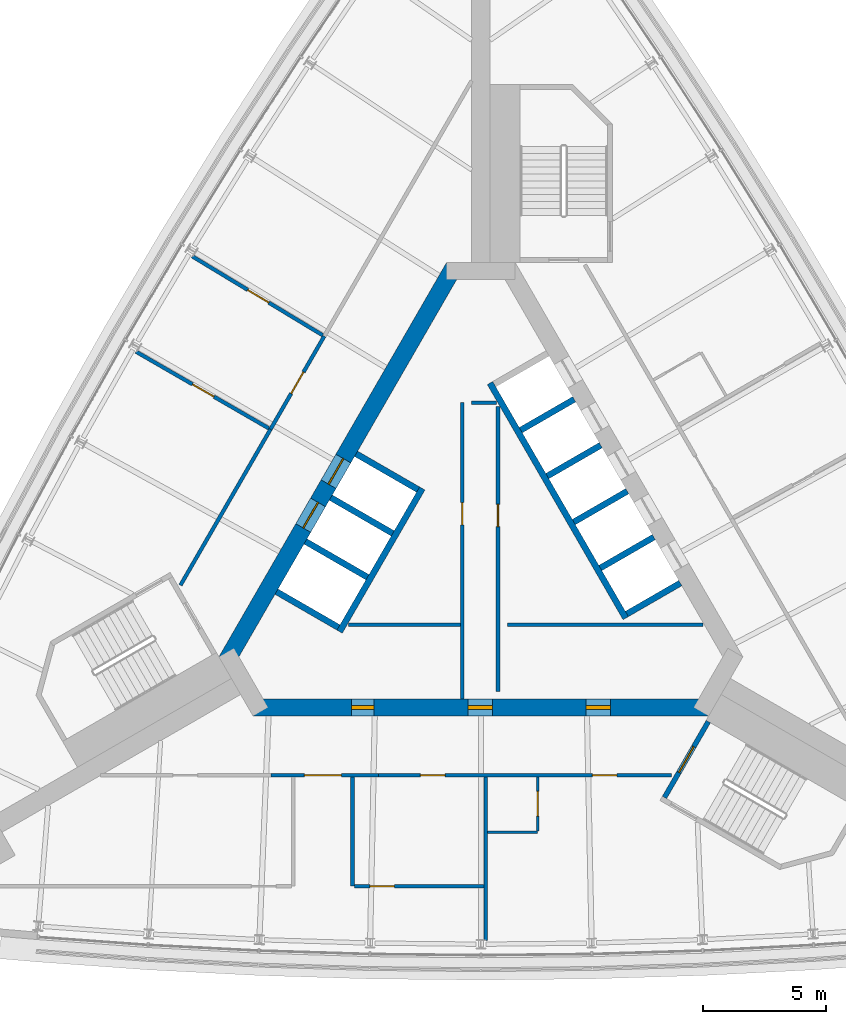
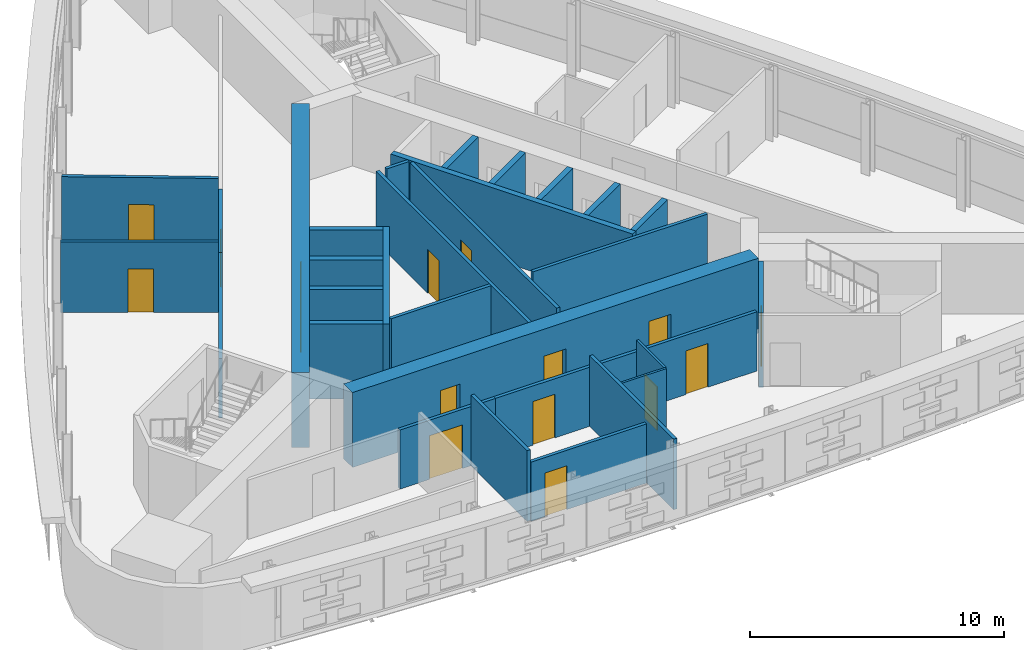
# One storey, part 9 of 13: 30 walls, 16 doors, 16 openings.
"""IFC4 building model written with IfcOpenShell, lengths in metres."""

from ifc_helpers import new_model, si_unit, direction, frame, frame_2d, origin, place, context, subcontext, project, spatial, rectangle, extrude, material, layer, layer_set, type_object, element, fill, save


model = new_model("IFC4")

# Units and contexts
model_context = context("Model", 3, precision=1e-05, world=origin(), true_north=direction((0.0, 1.0)))
body_context = subcontext(model_context, "Body", "Model", "MODEL_VIEW")
ifc_project = project(units=[si_unit("LENGTHUNIT", "METRE"), si_unit("AREAUNIT", "SQUARE_METRE"), si_unit("VOLUMEUNIT", "CUBIC_METRE"), si_unit("PLANEANGLEUNIT", "RADIAN"), si_unit("MASSUNIT", "GRAM", prefix="KILO")], contexts=[model_context])

# Site, building, storey
site_placement = place(None, origin())
site = spatial("IfcSite", under=ifc_project, at=site_placement, CompositionType="ELEMENT")
building_placement = place(site_placement, origin())
building = spatial("IfcBuilding", under=site, at=building_placement, Name="Noor Cloister Tower", CompositionType="ELEMENT")
storey_placement = place(building_placement, frame((0.0, 0.0, 143.699951171875)))
storey = spatial("IfcBuildingStorey", under=building, at=storey_placement, Name="L36", CompositionType="ELEMENT", Elevation=143.699951171875)

# Wall
ifc_material_1 = material(Name="Concrete C30/37", Category="concrete")
ifc_layer_1 = layer(ifc_material_1, 0.14990234375)
ifc_layer_set_1 = layer_set([ifc_layer_1], Name="Core partition 150 C30/37")
wall_type_1 = type_object("IfcWallType", Name="Core partition 150 C30/37", PredefinedType="PARTITIONING", material=ifc_layer_set_1)
wall_1_placement = place(storey_placement, frame((-5.373291015625, -3.228271484375, 0.0), z_axis=(0.0, 0.0, 1.0), x_axis=(1.0, 0.0, 0.0)))
element("IfcWall", 1, at=wall_1_placement, inside=storey, type_object=wall_type_1, Name="Core room partition L36 1", PredefinedType="PARTITIONING", context=body_context, shape_type="SweptSolid", body=[
    extrude(rectangle(XDim=4.544677734375, YDim=0.14990234375, at=frame_2d((2.2724609375, 0.0))), origin(), (0.0, 0.0, 1.0), 3.400146484375),
])

# Wall, opening, door
wall_2_placement = place(storey_placement, frame((-0.753662109375, 5.771728515625, 0.0), z_axis=(0.0, 0.0, 1.0), x_axis=(0.0, -1.0, 0.0)))
wall_2 = element("IfcWall", 2, at=wall_2_placement, inside=storey, type_object=wall_type_1, Name="Core room partition L36 2", PredefinedType="PARTITIONING", context=body_context, shape_type="SweptSolid", body=[
    extrude(rectangle(XDim=12.0, YDim=0.14990234375, at=frame_2d((6.0, 0.0))), origin(), (0.0, 0.0, 1.0), 3.400146484375),
])
opening_1_placement = place(wall_2_placement, frame((4.051025390625, 0.0, 0.0)))
opening_1 = element("IfcOpeningElement", 3, at=opening_1_placement, cuts=wall_2, Name="Opening L36-904", PredefinedType="OPENING", context=body_context, shape_type="SweptSolid", body=[
    extrude(rectangle(XDim=0.89990234375, YDim=2.10009765625, at=frame_2d((0.449951171875, 1.050048828125))), frame((0.0, 0.0849609375, 0.0), z_axis=(0.0, -1.0, 0.0), x_axis=(1.0, 0.0, 0.0)), (0.0, 0.0, 1.0), 0.169921875),
])
ifc_material_2 = material(Name="Steel", Category="steel")
door_type_1 = type_object("IfcDoorType", Name="Core door 900 x 2100 FD120", OperationType="SINGLE_SWING_LEFT", PredefinedType="DOOR", material=ifc_material_2)
door_1_placement = place(opening_1_placement, origin())
door_1 = element("IfcDoor", 4, at=door_1_placement, inside=storey, type_object=door_type_1, Name="Core door 4 L36", OperationType="SINGLE_SWING_RIGHT", OverallHeight=2.10009765625, OverallWidth=0.89990234375, PredefinedType="DOOR", context=body_context, shape_type="SweptSolid", body=[
    extrude(rectangle(XDim=0.89990234375, YDim=2.10009765625, at=frame_2d((0.449951171875, 1.050048828125))), frame((0.0, 0.02490234375, 0.0), z_axis=(0.0, -1.0, 0.0), x_axis=(1.0, 0.0, 0.0)), (0.0, 0.0, 1.0), 0.050048828125),
])
fill(opening_1, door_1)

# Wall
wall_3_placement = place(storey_placement, frame((-0.378662109375, 5.771728515625, 0.0), z_axis=(0.0, 0.0, 1.0), x_axis=(1.0, 0.0, 0.0)))
element("IfcWall", 5, at=wall_3_placement, inside=storey, type_object=wall_type_1, Name="Core room partition L36 3", PredefinedType="PARTITIONING", context=body_context, shape_type="SweptSolid", body=[
    extrude(rectangle(XDim=1.017578125, YDim=0.14990234375, at=frame_2d((0.5087890625, 0.0))), origin(), (0.0, 0.0, 1.0), 3.400146484375),
])

# Wall, opening, door
wall_4_placement = place(storey_placement, frame((0.6962890625, -5.92822265625, 0.0), z_axis=(0.0, 0.0, 1.0), x_axis=(0.0, 1.0, 0.0)))
wall_4 = element("IfcWall", 6, at=wall_4_placement, inside=storey, type_object=wall_type_1, Name="Core room partition L36 4", PredefinedType="PARTITIONING", context=body_context, shape_type="SweptSolid", body=[
    extrude(rectangle(XDim=11.548583984375, YDim=0.14990234375, at=frame_2d((5.7744140625, 0.0))), origin(), (0.0, 0.0, 1.0), 3.400146484375),
])
opening_2_placement = place(wall_4_placement, frame((6.67333984375, 0.0, 0.0)))
opening_2 = element("IfcOpeningElement", 7, at=opening_2_placement, cuts=wall_4, Name="Opening L36-905", PredefinedType="OPENING", context=body_context, shape_type="SweptSolid", body=[
    extrude(rectangle(XDim=0.89990234375, YDim=2.10009765625, at=frame_2d((0.449951171875, 1.050048828125))), frame((0.0, 0.0849609375, 0.0), z_axis=(0.0, -1.0, 0.0), x_axis=(1.0, 0.0, 0.0)), (0.0, 0.0, 1.0), 0.169921875),
])
door_2_placement = place(opening_2_placement, origin())
door_2 = element("IfcDoor", 8, at=door_2_placement, inside=storey, type_object=door_type_1, Name="Core door 5 L36", OperationType="SINGLE_SWING_LEFT", OverallHeight=2.10009765625, OverallWidth=0.89990234375, PredefinedType="DOOR", context=body_context, shape_type="SweptSolid", body=[
    extrude(rectangle(XDim=0.89990234375, YDim=2.10009765625, at=frame_2d((0.449951171875, 1.050048828125))), frame((0.0, 0.02490234375, 0.0), z_axis=(0.0, -1.0, 0.0), x_axis=(1.0, 0.0, 0.0)), (0.0, 0.0, 1.0), 0.050048828125),
])
fill(opening_2, door_2)

# Wall
wall_5_placement = place(storey_placement, frame((1.0712890625, -3.228271484375, 0.0), z_axis=(0.0, 0.0, 1.0), x_axis=(1.0, 0.0, 0.0)))
element("IfcWall", 9, at=wall_5_placement, inside=storey, type_object=wall_type_1, Name="Core room partition L36 5", PredefinedType="PARTITIONING", context=body_context, shape_type="SweptSolid", body=[
    extrude(rectangle(XDim=7.939208984375, YDim=0.14990234375, at=frame_2d((3.9697265625, 0.0))), origin(), (0.0, 0.0, 1.0), 3.400146484375),
])

# Wall, openings, doors
ifc_material_3 = material(Name="Concrete C70/85", Category="concrete")
ifc_layer_2 = layer(ifc_material_3, 0.699951171875)
ifc_layer_set_2 = layer_set([ifc_layer_2], Name="Core wall 700 C70/85")
wall_type_2 = type_object("IfcWallType", Name="Core wall 700 C70/85", PredefinedType="SHEAR", material=ifc_layer_set_2)
wall_6_placement = place(storey_placement, frame((-9.228759765625, -6.578125, -0.199951171875), z_axis=(0.0, 0.0, 1.0), x_axis=(1.0, 0.0, 0.0)))
wall_6 = element("IfcWall", 10, at=wall_6_placement, inside=storey, type_object=wall_type_2, Name="Core wall L36 1", PredefinedType="SHEAR", context=body_context, shape_type="SweptSolid", body=[
    extrude(rectangle(XDim=18.45751953125, YDim=0.699951171875, at=frame_2d((9.228759765625, 0.0))), origin(), (0.0, 0.0, 1.0), 3.60009765625),
])
opening_3_placement = place(wall_6_placement, frame((8.699951171875, 0.0, 0.199951171875)))
opening_3 = element("IfcOpeningElement", 11, at=opening_3_placement, cuts=wall_6, Name="Opening L36-901", PredefinedType="OPENING", context=body_context, shape_type="SweptSolid", body=[
    extrude(rectangle(XDim=1.0, YDim=2.10009765625, at=frame_2d((0.5, 1.050048828125))), frame((0.0, 0.35986328125, 0.0), z_axis=(0.0, -1.0, 0.0), x_axis=(1.0, 0.0, 0.0)), (0.0, 0.0, 1.0), 0.719970703125),
])
opening_4_placement = place(wall_6_placement, frame((3.989501953125, 0.0, 0.199951171875)))
opening_4 = element("IfcOpeningElement", 12, at=opening_4_placement, cuts=wall_6, Name="Opening L36-902", PredefinedType="OPENING", context=body_context, shape_type="SweptSolid", body=[
    extrude(rectangle(XDim=0.89990234375, YDim=2.10009765625, at=frame_2d((0.449951171875, 1.050048828125))), frame((0.0, 0.35986328125, 0.0), z_axis=(0.0, -1.0, 0.0), x_axis=(1.0, 0.0, 0.0)), (0.0, 0.0, 1.0), 0.719970703125),
])
opening_5_placement = place(wall_6_placement, frame((13.489013671875, 0.0, 0.199951171875)))
opening_5 = element("IfcOpeningElement", 13, at=opening_5_placement, cuts=wall_6, Name="Opening L36-903", PredefinedType="OPENING", context=body_context, shape_type="SweptSolid", body=[
    extrude(rectangle(XDim=1.0, YDim=2.10009765625, at=frame_2d((0.5, 1.050048828125))), frame((0.0, 0.35986328125, 0.0), z_axis=(0.0, -1.0, 0.0), x_axis=(1.0, 0.0, 0.0)), (0.0, 0.0, 1.0), 0.719970703125),
])
ifc_material_4 = material(Name="Steel", Category="steel")
door_type_2 = type_object("IfcDoorType", Name="Core door 1000 x 2100 FD120", OperationType="SINGLE_SWING_LEFT", PredefinedType="DOOR", material=ifc_material_4)
door_3_placement = place(opening_3_placement, origin())
door_3 = element("IfcDoor", 14, at=door_3_placement, inside=storey, type_object=door_type_2, Name="Core door 1 L36", OperationType="SINGLE_SWING_LEFT", OverallHeight=2.10009765625, OverallWidth=1.0, PredefinedType="DOOR", context=body_context, shape_type="SweptSolid", body=[
    extrude(rectangle(XDim=1.0, YDim=2.10009765625, at=frame_2d((0.5, 1.050048828125))), frame((0.0, 0.074951171875, 0.0), z_axis=(0.0, -1.0, 0.0), x_axis=(1.0, 0.0, 0.0)), (0.0, 0.0, 1.0), 0.14990234375),
])
fill(opening_3, door_3)
ifc_material_5 = material(Name="Steel", Category="steel")
door_type_3 = type_object("IfcDoorType", Name="Core door 1000 x 2100 FD60", OperationType="SINGLE_SWING_LEFT", PredefinedType="DOOR", material=ifc_material_5)
door_4_placement = place(opening_5_placement, origin())
door_4 = element("IfcDoor", 15, at=door_4_placement, inside=storey, type_object=door_type_3, Name="Core door 3 L36", OperationType="SINGLE_SWING_LEFT", OverallHeight=2.10009765625, OverallWidth=1.0, PredefinedType="DOOR", context=body_context, shape_type="SweptSolid", body=[
    extrude(rectangle(XDim=1.0, YDim=2.10009765625, at=frame_2d((0.5, 1.050048828125))), frame((0.0, 0.074951171875, 0.0), z_axis=(0.0, -1.0, 0.0), x_axis=(1.0, 0.0, 0.0)), (0.0, 0.0, 1.0), 0.14990234375),
])
fill(opening_5, door_4)
door_5_placement = place(opening_4_placement, origin())
door_5 = element("IfcDoor", 16, at=door_5_placement, inside=storey, type_object=door_type_1, Name="Core door 2 L36", OperationType="SINGLE_SWING_RIGHT", OverallHeight=2.10009765625, OverallWidth=0.89990234375, PredefinedType="DOOR", context=body_context, shape_type="SweptSolid", body=[
    extrude(rectangle(XDim=0.89990234375, YDim=2.10009765625, at=frame_2d((0.449951171875, 1.050048828125))), frame((0.0, 0.074951171875, 0.0), z_axis=(0.0, -1.0, 0.0), x_axis=(1.0, 0.0, 0.0)), (0.0, 0.0, 1.0), 0.14990234375),
])
fill(opening_4, door_5)

wall_7_placement = place(storey_placement, frame((-1.08251953125, 11.281494140625, -0.199951171875), z_axis=(0.0, 0.0, 1.0), x_axis=(-0.500001446645, -0.866024568562, 0.0)))
wall_7 = element("IfcWall", 17, at=wall_7_placement, inside=storey, type_object=wall_type_2, Name="Core wall L36 5", PredefinedType="SHEAR", context=body_context, shape_type="SweptSolid", body=[
    extrude(rectangle(XDim=18.45751953125, YDim=0.699951171875, at=frame_2d((9.228759765625, 0.0))), origin(), (0.0, 0.0, 1.0), 3.60009765625),
])
opening_6_placement = place(wall_7_placement, frame((8.978759765625, 0.0, 0.199951171875)))
opening_6 = element("IfcOpeningElement", 18, at=opening_6_placement, cuts=wall_7, Name="Opening L36-FF1", PredefinedType="OPENING", context=body_context, shape_type="SweptSolid", body=[
    extrude(rectangle(XDim=1.199951171875, YDim=2.10009765625, at=frame_2d((0.60009765625, 1.050048828125))), frame((0.0, 0.35986328125, 0.0), z_axis=(0.0, -1.0, 0.0), x_axis=(1.0, 0.0, 0.0)), (0.0, 0.0, 1.0), 0.719970703125),
])
opening_7_placement = place(wall_7_placement, frame((11.02880859375, 0.0, 0.199951171875)))
opening_7 = element("IfcOpeningElement", 19, at=opening_7_placement, cuts=wall_7, Name="Opening L36-FF2", PredefinedType="OPENING", context=body_context, shape_type="SweptSolid", body=[
    extrude(rectangle(XDim=1.199951171875, YDim=2.10009765625, at=frame_2d((0.60009765625, 1.050048828125))), frame((0.0, 0.35986328125, 0.0), z_axis=(0.0, -1.0, 0.0), x_axis=(1.0, 0.0, 0.0)), (0.0, 0.0, 1.0), 0.719970703125),
])
ifc_material_6 = material(Name="Stainless steel", Category="steel")
door_type_4 = type_object("IfcDoorType", Name="Lift landing door 1200 x 2100", OperationType="DOUBLE_DOOR_SLIDING", PredefinedType="DOOR", material=ifc_material_6)
door_6_placement = place(opening_6_placement, origin())
door_6 = element("IfcDoor", 20, at=door_6_placement, inside=storey, type_object=door_type_4, Name="Landing door FF1 L36", OperationType="DOUBLE_DOOR_SLIDING", OverallHeight=2.10009765625, OverallWidth=1.199951171875, PredefinedType="DOOR", context=body_context, shape_type="SweptSolid", body=[
    extrude(rectangle(XDim=1.199951171875, YDim=2.10009765625, at=frame_2d((0.60009765625, 1.050048828125))), frame((0.0, 0.02490234375, 0.0), z_axis=(0.0, -1.0, 0.0), x_axis=(1.0, 0.0, 0.0)), (0.0, 0.0, 1.0), 0.050048828125),
])
fill(opening_6, door_6)
door_7_placement = place(opening_7_placement, origin())
door_7 = element("IfcDoor", 21, at=door_7_placement, inside=storey, type_object=door_type_4, Name="Landing door FF2 L36", OperationType="DOUBLE_DOOR_SLIDING", OverallHeight=2.10009765625, OverallWidth=1.199951171875, PredefinedType="DOOR", context=body_context, shape_type="SweptSolid", body=[
    extrude(rectangle(XDim=1.199951171875, YDim=2.10009765625, at=frame_2d((0.60009765625, 1.050048828125))), frame((0.0, 0.02490234375, 0.0), z_axis=(0.0, -1.0, 0.0), x_axis=(1.0, 0.0, 0.0)), (0.0, 0.0, 1.0), 0.050048828125),
])
fill(opening_7, door_7)

# Wall
ifc_material_7 = material(Name="Fire-rated gypsum board partition on steel studs, 150 mm", Category="steel")
ifc_layer_3 = layer(ifc_material_7, 0.14990234375)
ifc_layer_set_3 = layer_set([ifc_layer_3], Name="Fire lobby wall 150")
wall_type_3 = type_object("IfcWallType", Name="Fire lobby wall 150", PredefinedType="PARTITIONING", material=ifc_layer_set_3)
wall_8_placement = place(storey_placement, frame((-8.52490234375, 4.69091796875, 0.0), z_axis=(0.0, 0.0, 1.0), x_axis=(-0.499986021771, -0.866033473968, 0.0)))
element("IfcWall", 22, at=wall_8_placement, inside=storey, type_object=wall_type_3, Name="Wall L36-W19", PredefinedType="PARTITIONING", context=body_context, shape_type="SweptSolid", body=[
    extrude(rectangle(XDim=7.296630859375, YDim=0.14990234375, at=frame_2d((3.6484375, 0.0))), origin(), (0.0, 0.0, 1.0), 2.84716796875),
])

# Wall, opening, door
wall_9_placement = place(storey_placement, frame((-6.34619140625, 8.46435546875, 0.0), z_axis=(0.0, 0.0, 1.0), x_axis=(-0.50001992892, -0.866013897511, 0.0)))
wall_9 = element("IfcWall", 23, at=wall_9_placement, inside=storey, type_object=wall_type_3, Name="Wall L36-W22", PredefinedType="PARTITIONING", context=body_context, shape_type="SweptSolid", body=[
    extrude(rectangle(XDim=4.357177734375, YDim=0.14990234375, at=frame_2d((2.1787109375, 0.0))), origin(), (0.0, 0.0, 1.0), 2.84716796875),
])
opening_8_placement = place(wall_9_placement, frame((1.678466796875, 0.0, 0.0)))
opening_8 = element("IfcOpeningElement", 24, at=opening_8_placement, cuts=wall_9, Name="Opening L36-012", PredefinedType="OPENING", context=body_context, shape_type="SweptSolid", body=[
    extrude(rectangle(XDim=1.0, YDim=2.10009765625, at=frame_2d((0.5, 1.050048828125))), frame((0.0, 0.0849609375, 0.0), z_axis=(0.0, -1.0, 0.0), x_axis=(1.0, 0.0, 0.0)), (0.0, 0.0, 1.0), 0.169921875),
])
ifc_material_8 = material(Name="Timber door leaf with steel frame", Category="steel")
door_type_5 = type_object("IfcDoorType", Name="Fire lobby door 1000", OperationType="NOTDEFINED", PredefinedType="DOOR", material=ifc_material_8)
door_8_placement = place(opening_8_placement, origin())
door_8 = element("IfcDoor", 25, at=door_8_placement, inside=storey, type_object=door_type_5, Name="Door L36-012", OperationType="SINGLE_SWING_RIGHT", OverallHeight=2.10009765625, OverallWidth=1.0, PredefinedType="DOOR", context=body_context, shape_type="SweptSolid", body=[
    extrude(rectangle(XDim=1.0, YDim=2.10009765625, at=frame_2d((0.5, 1.050048828125))), frame((0.0, 0.02490234375, 0.0), z_axis=(0.0, -1.0, 0.0), x_axis=(1.0, 0.0, 0.0)), (0.0, 0.0, 1.0), 0.050048828125),
])
fill(opening_8, door_8)

# Wall, openings, doors
ifc_material_9 = material(Name="Gypsum board partition on steel studs, 150 mm", Category="steel")
ifc_layer_4 = layer(ifc_material_9, 0.14990234375)
ifc_layer_set_4 = layer_set([ifc_layer_4], Name="Flat wall 150")
wall_type_4 = type_object("IfcWallType", Name="Flat wall 150", PredefinedType="PARTITIONING", material=ifc_layer_set_4)
wall_10_placement = place(storey_placement, frame((-4.14892578125, -9.328125, 0.0), z_axis=(0.0, 0.0, 1.0), x_axis=(1.0, 0.0, 0.0)))
wall_10 = element("IfcWall", 26, at=wall_10_placement, inside=storey, type_object=wall_type_4, Name="Wall L36-W09", PredefinedType="PARTITIONING", context=body_context, shape_type="SweptSolid", body=[
    extrude(rectangle(XDim=11.87646484375, YDim=0.14990234375, at=frame_2d((5.938232421875, 0.0))), origin(), (0.0, 0.0, 1.0), 2.84716796875),
])
opening_9_placement = place(wall_10_placement, frame((1.699462890625, 0.0, 0.0)))
opening_9 = element("IfcOpeningElement", 27, at=opening_9_placement, cuts=wall_10, Name="Opening L36-009", PredefinedType="OPENING", context=body_context, shape_type="SweptSolid", body=[
    extrude(rectangle(XDim=1.0, YDim=2.10009765625, at=frame_2d((0.5, 1.050048828125))), frame((0.0, 0.0849609375, 0.0), z_axis=(0.0, -1.0, 0.0), x_axis=(1.0, 0.0, 0.0)), (0.0, 0.0, 1.0), 0.169921875),
])
opening_10_placement = place(wall_10_placement, frame((8.662841796875, 0.0, 0.0)))
opening_10 = element("IfcOpeningElement", 28, at=opening_10_placement, cuts=wall_10, Name="Opening L36-011", PredefinedType="OPENING", context=body_context, shape_type="SweptSolid", body=[
    extrude(rectangle(XDim=1.0, YDim=2.10009765625, at=frame_2d((0.5, 1.050048828125))), frame((0.0, 0.0849609375, 0.0), z_axis=(0.0, -1.0, 0.0), x_axis=(1.0, 0.0, 0.0)), (0.0, 0.0, 1.0), 0.169921875),
])
ifc_material_10 = material(Name="Timber door leaf with steel frame", Category="steel")
door_type_6 = type_object("IfcDoorType", Name="Flat entrance door 1000", OperationType="NOTDEFINED", PredefinedType="DOOR", material=ifc_material_10)
door_9_placement = place(opening_10_placement, origin())
door_9 = element("IfcDoor", 29, at=door_9_placement, inside=storey, type_object=door_type_6, Name="Door L36-011", OperationType="SINGLE_SWING_LEFT", OverallHeight=2.10009765625, OverallWidth=1.0, PredefinedType="DOOR", context=body_context, shape_type="SweptSolid", body=[
    extrude(rectangle(XDim=1.0, YDim=2.10009765625, at=frame_2d((0.5, 1.050048828125))), frame((0.0, 0.02490234375, 0.0), z_axis=(0.0, -1.0, 0.0), x_axis=(1.0, 0.0, 0.0)), (0.0, 0.0, 1.0), 0.050048828125),
])
fill(opening_10, door_9)
ifc_material_11 = material(Name="Timber door leaf with steel frame", Category="steel")
door_type_7 = type_object("IfcDoorType", Name="Interior door 1000 FD60", OperationType="NOTDEFINED", PredefinedType="DOOR", material=ifc_material_11)
door_10_placement = place(opening_9_placement, origin())
door_10 = element("IfcDoor", 30, at=door_10_placement, inside=storey, type_object=door_type_7, Name="Door L36-009", OperationType="SINGLE_SWING_LEFT", OverallHeight=2.10009765625, OverallWidth=1.0, PredefinedType="DOOR", context=body_context, shape_type="SweptSolid", body=[
    extrude(rectangle(XDim=1.0, YDim=2.10009765625, at=frame_2d((0.5, 1.050048828125))), frame((0.0, 0.02490234375, 0.0), z_axis=(0.0, -1.0, 0.0), x_axis=(1.0, 0.0, 0.0)), (0.0, 0.0, 1.0), 0.050048828125),
])
fill(opening_9, door_10)

# Wall, opening, door
wall_11_placement = place(storey_placement, frame((-8.50146484375, -9.328125, 0.0), z_axis=(0.0, 0.0, 1.0), x_axis=(1.0, 0.0, 0.0)))
wall_11 = element("IfcWall", 31, at=wall_11_placement, inside=storey, type_object=wall_type_4, Name="Wall L36-W10", PredefinedType="PARTITIONING", context=body_context, shape_type="SweptSolid", body=[
    extrude(rectangle(XDim=4.3525390625, YDim=0.14990234375, at=frame_2d((2.17626953125, 0.0))), origin(), (0.0, 0.0, 1.0), 2.84716796875),
])
opening_11_placement = place(wall_11_placement, frame((1.351806640625, 0.0, 0.0)))
opening_11 = element("IfcOpeningElement", 32, at=opening_11_placement, cuts=wall_11, Name="Opening L36-005", PredefinedType="OPENING", context=body_context, shape_type="SweptSolid", body=[
    extrude(rectangle(XDim=1.5, YDim=2.10009765625, at=frame_2d((0.75, 1.050048828125))), frame((0.0, 0.0849609375, 0.0), z_axis=(0.0, -1.0, 0.0), x_axis=(1.0, 0.0, 0.0)), (0.0, 0.0, 1.0), 0.169921875),
])
ifc_material_12 = material(Name="Timber door leaf with steel frame", Category="steel")
door_type_8 = type_object("IfcDoorType", Name="Double door 1500 FD60", OperationType="NOTDEFINED", PredefinedType="DOOR", material=ifc_material_12)
door_11_placement = place(opening_11_placement, origin())
door_11 = element("IfcDoor", 33, at=door_11_placement, inside=storey, type_object=door_type_8, Name="Door L36-005", OperationType="DOUBLE_DOOR_SINGLE_SWING", OverallHeight=2.10009765625, OverallWidth=1.5, PredefinedType="DOOR", context=body_context, shape_type="SweptSolid", body=[
    extrude(rectangle(XDim=1.5, YDim=2.10009765625, at=frame_2d((0.75, 1.050048828125))), frame((0.0, 0.02490234375, 0.0), z_axis=(0.0, -1.0, 0.0), x_axis=(1.0, 0.0, 0.0)), (0.0, 0.0, 1.0), 0.050048828125),
])
fill(opening_11, door_11)

# Walls
wall_12_placement = place(storey_placement, frame((0.199951171875, -16.0205078125, 0.0), z_axis=(0.0, 0.0, 1.0), x_axis=(0.0, 1.0, 0.0)))
element("IfcWall", 34, at=wall_12_placement, inside=storey, type_object=wall_type_4, Name="Wall L36-W11", PredefinedType="PARTITIONING", context=body_context, shape_type="SweptSolid", body=[
    extrude(rectangle(XDim=6.6171875, YDim=0.14990234375, at=frame_2d((3.30859375, 0.0))), origin(), (0.0, 0.0, 1.0), 3.400146484375),
])
wall_13_placement = place(storey_placement, frame((-5.19970703125, -9.4033203125, 0.0), z_axis=(0.0, 0.0, 1.0), x_axis=(0.0, -1.0, 0.0)))
element("IfcWall", 35, at=wall_13_placement, inside=storey, type_object=wall_type_4, Name="Wall L36-W13", PredefinedType="PARTITIONING", context=body_context, shape_type="SweptSolid", body=[
    extrude(rectangle(XDim=4.41650390625, YDim=0.14990234375, at=frame_2d((2.208251953125, 0.0))), origin(), (0.0, 0.0, 1.0), 3.400146484375),
])

# Wall, opening, door
wall_14_placement = place(storey_placement, frame((-5.124755859375, -13.81982421875, 0.0), z_axis=(0.0, 0.0, 1.0), x_axis=(1.0, 0.0, 0.0)))
wall_14 = element("IfcWall", 36, at=wall_14_placement, inside=storey, type_object=wall_type_4, Name="Wall L36-W15", PredefinedType="PARTITIONING", context=body_context, shape_type="SweptSolid", body=[
    extrude(rectangle(XDim=5.249755859375, YDim=0.14990234375, at=frame_2d((2.625, 0.0))), origin(), (0.0, 0.0, 1.0), 2.84716796875),
])
opening_12_placement = place(wall_14_placement, frame((0.625, 0.0, 0.0)))
opening_12 = element("IfcOpeningElement", 37, at=opening_12_placement, cuts=wall_14, Name="Opening L36-008", PredefinedType="OPENING", context=body_context, shape_type="SweptSolid", body=[
    extrude(rectangle(XDim=1.0, YDim=2.10009765625, at=frame_2d((0.5, 1.050048828125))), frame((0.0, 0.0849609375, 0.0), z_axis=(0.0, -1.0, 0.0), x_axis=(1.0, 0.0, 0.0)), (0.0, 0.0, 1.0), 0.169921875),
])
door_12_placement = place(opening_12_placement, origin())
door_12 = element("IfcDoor", 38, at=door_12_placement, inside=storey, type_object=door_type_7, Name="Door L36-008", OperationType="SINGLE_SWING_RIGHT", OverallHeight=2.10009765625, OverallWidth=1.0, PredefinedType="DOOR", context=body_context, shape_type="SweptSolid", body=[
    extrude(rectangle(XDim=1.0, YDim=2.10009765625, at=frame_2d((0.5, 1.050048828125))), frame((0.0, 0.02490234375, 0.0), z_axis=(0.0, -1.0, 0.0), x_axis=(1.0, 0.0, 0.0)), (0.0, 0.0, 1.0), 0.050048828125),
])
fill(opening_12, door_12)

wall_15_placement = place(storey_placement, frame((-11.695068359375, 11.700439453125, 0.0), z_axis=(0.0, 0.0, 1.0), x_axis=(0.855596827578, -0.517642800238, 0.0)))
wall_15 = element("IfcWall", 39, at=wall_15_placement, inside=storey, type_object=wall_type_4, Name="Wall L36-W20", PredefinedType="PARTITIONING", context=body_context, shape_type="SweptSolid", body=[
    extrude(rectangle(XDim=6.176513671875, YDim=0.14990234375, at=frame_2d((3.08837890625, 0.0))), origin(), (0.0, 0.0, 1.0), 3.400146484375),
])
opening_13_placement = place(wall_15_placement, frame((2.625732421875, 0.0, 0.0)))
opening_13 = element("IfcOpeningElement", 40, at=opening_13_placement, cuts=wall_15, Name="Opening L36-013", PredefinedType="OPENING", context=body_context, shape_type="SweptSolid", body=[
    extrude(rectangle(XDim=1.0, YDim=2.10009765625, at=frame_2d((0.5, 1.050048828125))), frame((0.0, 0.0849609375, 0.0), z_axis=(0.0, -1.0, 0.0), x_axis=(1.0, 0.0, 0.0)), (0.0, 0.0, 1.0), 0.169921875),
])
door_13_placement = place(opening_13_placement, origin())
door_13 = element("IfcDoor", 41, at=door_13_placement, inside=storey, type_object=door_type_7, Name="Door L36-013", OperationType="SINGLE_SWING_LEFT", OverallHeight=2.10009765625, OverallWidth=1.0, PredefinedType="DOOR", context=body_context, shape_type="SweptSolid", body=[
    extrude(rectangle(XDim=1.0, YDim=2.10009765625, at=frame_2d((0.5, 1.050048828125))), frame((0.0, 0.02490234375, 0.0), z_axis=(0.0, -1.0, 0.0), x_axis=(1.0, 0.0, 0.0)), (0.0, 0.0, 1.0), 0.050048828125),
])
fill(opening_13, door_13)

wall_16_placement = place(storey_placement, frame((-13.97412109375, 7.8369140625, 0.0), z_axis=(0.0, 0.0, 1.0), x_axis=(0.866040415161, -0.499973998632, 0.0)))
wall_16 = element("IfcWall", 42, at=wall_16_placement, inside=storey, type_object=wall_type_4, Name="Wall L36-W21", PredefinedType="PARTITIONING", context=body_context, shape_type="SweptSolid", body=[
    extrude(rectangle(XDim=6.217041015625, YDim=0.14990234375, at=frame_2d((3.1083984375, 0.0))), origin(), (0.0, 0.0, 1.0), 3.400146484375),
])
opening_14_placement = place(wall_16_placement, frame((2.64599609375, 0.0, 0.0)))
opening_14 = element("IfcOpeningElement", 43, at=opening_14_placement, cuts=wall_16, Name="Opening L36-014", PredefinedType="OPENING", context=body_context, shape_type="SweptSolid", body=[
    extrude(rectangle(XDim=1.0, YDim=2.10009765625, at=frame_2d((0.5, 1.050048828125))), frame((0.0, 0.0849609375, 0.0), z_axis=(0.0, -1.0, 0.0), x_axis=(1.0, 0.0, 0.0)), (0.0, 0.0, 1.0), 0.169921875),
])
door_14_placement = place(opening_14_placement, origin())
door_14 = element("IfcDoor", 44, at=door_14_placement, inside=storey, type_object=door_type_7, Name="Door L36-014", OperationType="SINGLE_SWING_RIGHT", OverallHeight=2.10009765625, OverallWidth=1.0, PredefinedType="DOOR", context=body_context, shape_type="SweptSolid", body=[
    extrude(rectangle(XDim=1.0, YDim=2.10009765625, at=frame_2d((0.5, 1.050048828125))), frame((0.0, 0.02490234375, 0.0), z_axis=(0.0, -1.0, 0.0), x_axis=(1.0, 0.0, 0.0)), (0.0, 0.0, 1.0), 0.050048828125),
])
fill(opening_14, door_14)

# Wall
ifc_material_13 = material(Name="Gypsum board partition on steel studs, 100 mm", Category="steel")
ifc_layer_5 = layer(ifc_material_13, 0.10009765625)
ifc_layer_set_5 = layer_set([ifc_layer_5], Name="Partition 100")
wall_type_5 = type_object("IfcWallType", Name="Partition 100", PredefinedType="PARTITIONING", material=ifc_layer_set_5)
wall_17_placement = place(storey_placement, frame((0.27490234375, -11.628173828125, 0.0), z_axis=(0.0, 0.0, 1.0), x_axis=(1.0, 0.0, 0.0)))
element("IfcWall", 45, at=wall_17_placement, inside=storey, type_object=wall_type_5, Name="Wall L36-W16", PredefinedType="PARTITIONING", context=body_context, shape_type="SweptSolid", body=[
    extrude(rectangle(XDim=2.025146484375, YDim=0.10009765625, at=frame_2d((1.0126953125, 0.0))), origin(), (0.0, 0.0, 1.0), 3.400146484375),
])

# Wall, opening, door
wall_18_placement = place(storey_placement, frame((2.300048828125, -11.578125, 0.0), z_axis=(0.0, 0.0, 1.0), x_axis=(0.0, 1.0, 0.0)))
wall_18 = element("IfcWall", 46, at=wall_18_placement, inside=storey, type_object=wall_type_5, Name="Wall L36-W17", PredefinedType="PARTITIONING", context=body_context, shape_type="SweptSolid", body=[
    extrude(rectangle(XDim=2.1748046875, YDim=0.10009765625, at=frame_2d((1.08740234375, 0.0))), origin(), (0.0, 0.0, 1.0), 3.400146484375),
])
opening_15_placement = place(wall_18_placement, frame((0.60009765625, 0.0, 0.0)))
opening_15 = element("IfcOpeningElement", 47, at=opening_15_placement, cuts=wall_18, Name="Opening L36-010", PredefinedType="OPENING", context=body_context, shape_type="SweptSolid", body=[
    extrude(rectangle(XDim=1.0, YDim=2.10009765625, at=frame_2d((0.5, 1.050048828125))), frame((0.0, 0.06005859375, 0.0), z_axis=(0.0, -1.0, 0.0), x_axis=(1.0, 0.0, 0.0)), (0.0, 0.0, 1.0), 0.1201171875),
])
ifc_material_14 = material(Name="Timber door leaf with steel frame", Category="steel")
door_type_9 = type_object("IfcDoorType", Name="Interior door 1000", OperationType="NOTDEFINED", PredefinedType="DOOR", material=ifc_material_14)
door_15_placement = place(opening_15_placement, origin())
door_15 = element("IfcDoor", 48, at=door_15_placement, inside=storey, type_object=door_type_9, Name="Door L36-010", OperationType="SINGLE_SWING_RIGHT", OverallHeight=2.10009765625, OverallWidth=1.0, PredefinedType="DOOR", context=body_context, shape_type="SweptSolid", body=[
    extrude(rectangle(XDim=1.0, YDim=2.10009765625, at=frame_2d((0.5, 1.050048828125))), frame((0.0, 0.02490234375, 0.0), z_axis=(0.0, -1.0, 0.0), x_axis=(1.0, 0.0, 0.0)), (0.0, 0.0, 1.0), 0.050048828125),
])
fill(opening_15, door_15)

# Walls
ifc_material_15 = material(Name="Concrete C70/85", Category="concrete")
ifc_layer_6 = layer(ifc_material_15, 0.25)
ifc_layer_set_6 = layer_set([ifc_layer_6], Name="Shaft wall 250 C70/85")
wall_type_6 = type_object("IfcWallType", Name="Shaft wall 250 C70/85", PredefinedType="PARTITIONING", material=ifc_layer_set_6)
for number, where, z_axis, x_axis, name in (
    (49, (8.081298828125, -1.540771484375, -0.199951171875), (0.0, 0.0, 1.0), (-0.866022959057, -0.500004234368, 0.0), "Lift shaft wall L36 NE 1"),
    (50, (7.00634765625, 0.3212890625, -0.199951171875), (0.0, 0.0, 1.0), (-0.866022959057, -0.500004234368, 0.0), "Lift shaft wall L36 NE 2"),
):
    element("IfcWall", number, at=place(storey_placement, frame(where, z_axis=z_axis, x_axis=x_axis)), inside=storey, type_object=wall_type_6, Name=name, PredefinedType="PARTITIONING", context=body_context, shape_type="SweptSolid", body=[
        extrude(rectangle(XDim=2.5, YDim=0.25, at=frame_2d((1.25, 0.0))), origin(), (0.0, 0.0, 1.0), 3.60009765625),
    ])
wall_19_placement = place(storey_placement, frame((5.931396484375, 2.18310546875, -0.199951171875), z_axis=(0.0, 0.0, 1.0), x_axis=(-0.866047370643, -0.499961950354, 0.0)))
element("IfcWall", 51, at=wall_19_placement, inside=storey, type_object=wall_type_6, Name="Lift shaft wall L36 NE 3", PredefinedType="PARTITIONING", context=body_context, shape_type="SweptSolid", body=[
    extrude(rectangle(XDim=2.500244140625, YDim=0.25, at=frame_2d((1.25, 0.0))), origin(), (0.0, 0.0, 1.0), 3.60009765625),
])
for number, where, z_axis, x_axis, name in (
    (52, (4.856201171875, 4.045166015625, -0.199951171875), (0.0, 0.0, 1.0), (-0.866022959057, -0.500004234368, 0.0), "Lift shaft wall L36 NE 4"),
    (53, (3.78125, 5.906982421875, -0.199951171875), (0.0, 0.0, 1.0), (-0.866022959057, -0.500004234368, 0.0), "Lift shaft wall L36 NE 5"),
):
    element("IfcWall", number, at=place(storey_placement, frame(where, z_axis=z_axis, x_axis=x_axis)), inside=storey, type_object=wall_type_6, Name=name, PredefinedType="PARTITIONING", context=body_context, shape_type="SweptSolid", body=[
        extrude(rectangle(XDim=2.5, YDim=0.25, at=frame_2d((1.25, 0.0))), origin(), (0.0, 0.0, 1.0), 3.60009765625),
    ])
wall_20_placement = place(storey_placement, frame((5.870361328125, -2.96142578125, 0.0), z_axis=(0.0, 0.0, 1.0), x_axis=(-0.50000615651, 0.866021849293, 0.0)))
element("IfcWall", 54, at=wall_20_placement, inside=storey, type_object=wall_type_6, Name="Lift shaft back wall L36 NE", PredefinedType="PARTITIONING", context=body_context, shape_type="SweptSolid", body=[
    extrude(rectangle(XDim=10.999755859375, YDim=0.25, at=frame_2d((5.5, 0.0))), origin(), (0.0, 0.0, 1.0), 3.400146484375),
])
for number, where, z_axis, x_axis, name in (
    (55, (-5.056396484375, 3.69873046875, -0.199951171875), (0.0, 0.0, 1.0), (0.866032775405, -0.499987231761, 0.0), "Lift shaft wall L36 NW 3"),
    (56, (-6.081298828125, 1.92333984375, -0.199951171875), (0.0, 0.0, 1.0), (0.866032775405, -0.499987231761, 0.0), "Lift shaft wall L36 NW 4"),
    (57, (-7.106201171875, 0.14794921875, -0.199951171875), (0.0, 0.0, 1.0), (0.866032775405, -0.499987231761, 0.0), "Lift shaft wall L36 NW 5"),
    (58, (-8.28125, -1.88720703125, -0.199951171875), (0.0, 0.0, 1.0), (0.866032775405, -0.499987231761, 0.0), "Lift shaft wall L36 NW 6"),
):
    element("IfcWall", number, at=place(storey_placement, frame(where, z_axis=z_axis, x_axis=x_axis)), inside=storey, type_object=wall_type_6, Name=name, PredefinedType="PARTITIONING", context=body_context, shape_type="SweptSolid", body=[
        extrude(rectangle(XDim=2.89990234375, YDim=0.25, at=frame_2d((1.449951171875, 0.0))), origin(), (0.0, 0.0, 1.0), 3.60009765625),
    ])
wall_21_placement = place(storey_placement, frame((-2.3740234375, 2.29443359375, 0.0), z_axis=(0.0, 0.0, 1.0), x_axis=(-0.500003174267, -0.866023571113, 0.0)))
element("IfcWall", 59, at=wall_21_placement, inside=storey, type_object=wall_type_6, Name="Lift shaft back wall L36 NW", PredefinedType="PARTITIONING", context=body_context, shape_type="SweptSolid", body=[
    extrude(rectangle(XDim=6.7001953125, YDim=0.25, at=frame_2d((3.35009765625, 0.0))), origin(), (0.0, 0.0, 1.0), 3.400146484375),
])

# Wall, opening, door
ifc_material_16 = material(Name="Concrete C70/85", Category="concrete")
ifc_layer_7 = layer(ifc_material_16, 0.199951171875)
ifc_layer_set_7 = layer_set([ifc_layer_7], Name="Stair enclosure wall 200 C70/85")
wall_type_7 = type_object("IfcWallType", Name="Stair enclosure wall 200 C70/85", PredefinedType="SHEAR", material=ifc_layer_set_7)
wall_22_placement = place(storey_placement, frame((7.440185546875, -10.225830078125, -0.199951171875), z_axis=(0.0, 0.0, 1.0), x_axis=(0.500022077904, 0.866012656725, 0.0)))
wall_22 = element("IfcWall", 60, at=wall_22_placement, inside=storey, type_object=wall_type_7, Name="Stair enclosure wall ST3 L36 near end", PredefinedType="SHEAR", context=body_context, shape_type="SweptSolid", body=[
    extrude(rectangle(XDim=3.550048828125, YDim=0.199951171875, at=frame_2d((1.77490234375, 0.0))), origin(), (0.0, 0.0, 1.0), 3.60009765625),
])
opening_16_placement = place(wall_22_placement, frame((1.175048828125, 0.0, 0.199951171875)))
opening_16 = element("IfcOpeningElement", 61, at=opening_16_placement, cuts=wall_22, Name="Opening L36-ST3L", PredefinedType="OPENING", context=body_context, shape_type="SweptSolid", body=[
    extrude(rectangle(XDim=1.199951171875, YDim=2.10009765625, at=frame_2d((0.60009765625, 1.050048828125))), frame((0.0, 0.10986328125, 0.0), z_axis=(0.0, -1.0, 0.0), x_axis=(1.0, 0.0, 0.0)), (0.0, 0.0, 1.0), 0.219970703125),
])
ifc_material_17 = material(Name="Steel", Category="steel")
door_type_10 = type_object("IfcDoorType", Name="Stair door 1200 x 2100 FD120", OperationType="SINGLE_SWING_LEFT", PredefinedType="DOOR", material=ifc_material_17)
door_16_placement = place(opening_16_placement, origin())
door_16 = element("IfcDoor", 62, at=door_16_placement, inside=storey, type_object=door_type_10, Name="Stair door ST3 L36", OperationType="SINGLE_SWING_RIGHT", OverallHeight=2.10009765625, OverallWidth=1.199951171875, PredefinedType="DOOR", context=body_context, shape_type="SweptSolid", body=[
    extrude(rectangle(XDim=1.199951171875, YDim=2.10009765625, at=frame_2d((0.60009765625, 1.050048828125))), frame((0.0, 0.02490234375, 0.0), z_axis=(0.0, -1.0, 0.0), x_axis=(1.0, 0.0, 0.0)), (0.0, 0.0, 1.0), 0.050048828125),
])
fill(opening_16, door_16)

save(model, "model.ifc")
